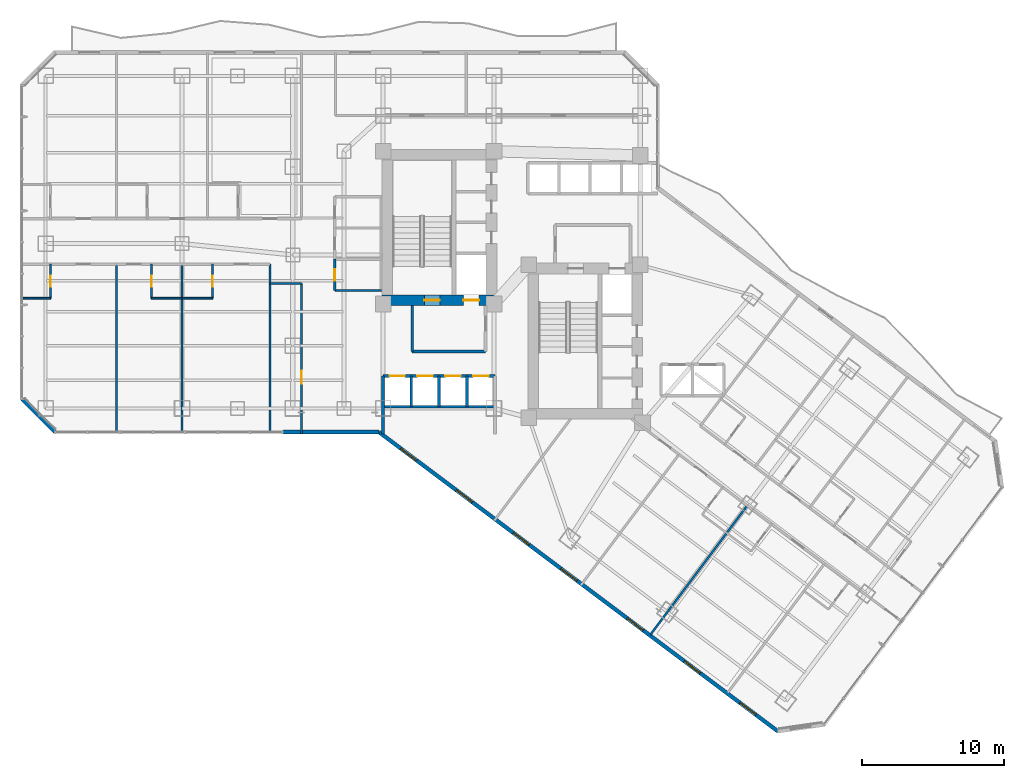
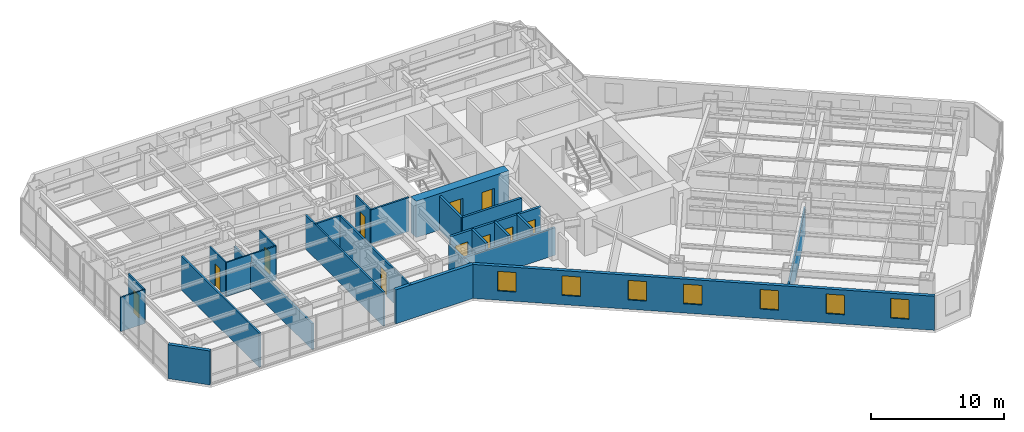
# One storey, part 23 of 37: 26 walls, 11 doors, 7 windows, 18 openings.
"""IFC4 building model written with IfcOpenShell, lengths in metres."""

from ifc_helpers import new_model, si_unit, direction, frame, frame_2d, origin, place, context, subcontext, project, spatial, rectangle, extrude, material, layer, layer_set, type_object, element, fill, save


model = new_model("IFC4")

# Units and contexts
model_context = context("Model", 3, precision=1e-05, world=origin(), true_north=direction((0.0, 1.0)))
body_context = subcontext(model_context, "Body", "Model", "MODEL_VIEW")
ifc_project = project(units=[si_unit("LENGTHUNIT", "METRE"), si_unit("AREAUNIT", "SQUARE_METRE"), si_unit("VOLUMEUNIT", "CUBIC_METRE"), si_unit("PLANEANGLEUNIT", "RADIAN"), si_unit("MASSUNIT", "GRAM", prefix="KILO")], contexts=[model_context])

# Site, building, storey
site_placement = place(None, origin())
site = spatial("IfcSite", under=ifc_project, at=site_placement, CompositionType="ELEMENT")
building_placement = place(site_placement, origin())
building = spatial("IfcBuilding", under=site, at=building_placement, Name="Hatsunagi Terrace Concourse", CompositionType="ELEMENT")
storey_placement = place(building_placement, frame((0.0, 0.0, 50.0)))
storey = spatial("IfcBuildingStorey", under=building, at=storey_placement, Name="L12", CompositionType="ELEMENT", Elevation=50.0)

# Wall, openings, doors
ifc_material_1 = material(Name="Concrete Fc60", Category="concrete")
ifc_layer_1 = layer(ifc_material_1, 0.75)
ifc_layer_set_1 = layer_set([ifc_layer_1], Name="CoreShearWall_Fc60_750")
wall_type_1 = type_object("IfcWallType", Name="CoreShearWall_Fc60_750", PredefinedType="SHEAR", material=ifc_layer_set_1)
wall_1_placement = place(storey_placement, frame((25.469970703125, 32.81494140625, 0.0), z_axis=(0.0, 0.0, 1.0), x_axis=(1.0, 0.0, 0.0)))
wall_1 = element("IfcWall", 1, at=wall_1_placement, inside=storey, type_object=wall_type_1, Name="Core A Shear Wall S L12", PredefinedType="SHEAR", context=body_context, shape_type="SweptSolid", body=[
    extrude(rectangle(XDim=8.080078125, YDim=0.75, at=frame_2d((4.0400390625, 0.0))), origin(), (0.0, 0.0, 1.0), 3.35009765625),
])
opening_1_placement = place(wall_1_placement, frame((2.97998046875, 0.0, 0.0)))
opening_1 = element("IfcOpeningElement", 2, at=opening_1_placement, cuts=wall_1, Name="Opening DR-110S", PredefinedType="OPENING", context=body_context, shape_type="SweptSolid", body=[
    extrude(rectangle(XDim=1.10009765625, YDim=2.199951171875, at=frame_2d((0.550048828125, 1.10009765625))), frame((0.0, 0.385009765625, 0.0), z_axis=(0.0, -1.0, 0.0), x_axis=(1.0, 0.0, 0.0)), (0.0, 0.0, 1.0), 0.77001953125),
])
opening_2_placement = place(wall_1_placement, frame((5.72998046875, 0.0, 0.0)))
opening_2 = element("IfcOpeningElement", 3, at=opening_2_placement, cuts=wall_1, Name="Opening LD-01", PredefinedType="OPENING", context=body_context, shape_type="SweptSolid", body=[
    extrude(rectangle(XDim=1.10009765625, YDim=2.14990234375, at=frame_2d((0.550048828125, 1.074951171875))), frame((0.0, 0.385009765625, 0.0), z_axis=(0.0, -1.0, 0.0), x_axis=(1.0, 0.0, 0.0)), (0.0, 0.0, 1.0), 0.77001953125),
])
ifc_material_2 = material(Name="Stainless steel", Category="steel")
door_type_1 = type_object("IfcDoorType", Name="LiftLandingDoor_LD01", OperationType="SLIDING_TO_LEFT", PredefinedType="USERDEFINED", material=ifc_material_2)
door_1_placement = place(opening_2_placement, origin())
door_1 = element("IfcDoor", 4, at=door_1_placement, inside=storey, type_object=door_type_1, Name="Lift landing door FF-01 L12", ObjectType="SLIDING_LANDING_DOOR", OperationType="SLIDING_TO_LEFT", OverallHeight=2.14990234375, OverallWidth=1.10009765625, PredefinedType="USERDEFINED", context=body_context, shape_type="SweptSolid", body=[
    extrude(rectangle(XDim=1.10009765625, YDim=2.14990234375, at=frame_2d((0.550048828125, 1.074951171875))), frame((0.0, 0.02490234375, 0.0), z_axis=(0.0, -1.0, 0.0), x_axis=(1.0, 0.0, 0.0)), (0.0, 0.0, 1.0), 0.050048828125),
])
fill(opening_2, door_1)
ifc_material_3 = material(Name="Painted steel", Category="steel")
door_type_2 = type_object("IfcDoorType", Name="StairFireDoor_EI60_1100", OperationType="NOTDEFINED", PredefinedType="DOOR", material=ifc_material_3)
door_2_placement = place(opening_1_placement, origin())
door_2 = element("IfcDoor", 5, at=door_2_placement, inside=storey, type_object=door_type_2, Name="Stair ST-A Exit Door L12", OperationType="SINGLE_SWING_LEFT", OverallHeight=2.199951171875, OverallWidth=1.10009765625, PredefinedType="DOOR", context=body_context, shape_type="SweptSolid", body=[
    extrude(rectangle(XDim=1.10009765625, YDim=2.199951171875, at=frame_2d((0.550048828125, 1.10009765625))), frame((0.0, 0.02490234375, 0.0), z_axis=(0.0, -1.0, 0.0), x_axis=(1.0, 0.0, 0.0)), (0.0, 0.0, 1.0), 0.050048828125),
])
fill(opening_1, door_2)

# Wall, opening, door
ifc_material_4 = material(Name="Acoustic mineral board", Category="gypsum")
ifc_layer_2 = layer(ifc_material_4, 0.1201171875)
ifc_layer_set_2 = layer_set([ifc_layer_2], Name="PartitionWall_EI30_120")
wall_type_2 = type_object("IfcWallType", Name="PartitionWall_EI30_120", PredefinedType="PARTITIONING", material=ifc_layer_set_2)
wall_2_placement = place(storey_placement, frame((2.14990234375, 32.949951171875, 0.0), z_axis=(0.0, 0.0, 1.0), x_axis=(0.0, 1.0, 0.0)))
wall_2 = element("IfcWall", 6, at=wall_2_placement, inside=storey, type_object=wall_type_2, Name="Interior Partition IW-L12-063", PredefinedType="PARTITIONING", context=body_context, shape_type="SweptSolid", body=[
    extrude(rectangle(XDim=2.400146484375, YDim=0.1201171875, at=frame_2d((1.2001953125, 0.0))), origin(), (0.0, 0.0, 1.0), 3.1298828125),
])
opening_3_placement = place(wall_2_placement, frame((0.800048828125, 0.0, 0.0)))
opening_3 = element("IfcOpeningElement", 7, at=opening_3_placement, cuts=wall_2, Name="Opening DR-080", PredefinedType="OPENING", context=body_context, shape_type="SweptSolid", body=[
    extrude(rectangle(XDim=0.800048828125, YDim=2.06005859375, at=frame_2d((0.39990234375, 1.030029296875))), frame((0.0, 0.070068359375, 0.0), z_axis=(0.0, -1.0, 0.0), x_axis=(1.0, 0.0, 0.0)), (0.0, 0.0, 1.0), 0.14013671875),
])
ifc_material_5 = material(Name="Hardwood timber", Category="wood")
door_type_3 = type_object("IfcDoorType", Name="BathroomDoor_800", OperationType="NOTDEFINED", PredefinedType="DOOR", material=ifc_material_5)
door_3_placement = place(opening_3_placement, origin())
door_3 = element("IfcDoor", 8, at=door_3_placement, inside=storey, type_object=door_type_3, Name="En-Suite Bathroom L12-S1 Door", OperationType="SINGLE_SWING_RIGHT", OverallHeight=2.06005859375, OverallWidth=0.800048828125, PredefinedType="DOOR", context=body_context, shape_type="SweptSolid", body=[
    extrude(rectangle(XDim=0.800048828125, YDim=2.06005859375, at=frame_2d((0.39990234375, 1.030029296875))), frame((0.0, 0.02490234375, 0.0), z_axis=(0.0, -1.0, 0.0), x_axis=(1.0, 0.0, 0.0)), (0.0, 0.0, 1.0), 0.050048828125),
])
fill(opening_3, door_3)

# Wall
wall_3_placement = place(storey_placement, frame((0.0400390625, 32.949951171875, 0.0), z_axis=(0.0, 0.0, 1.0), x_axis=(1.0, 0.0, 0.0)))
element("IfcWall", 9, at=wall_3_placement, inside=storey, type_object=wall_type_2, Name="Interior Partition IW-L12-064", PredefinedType="PARTITIONING", context=body_context, shape_type="SweptSolid", body=[
    extrude(rectangle(XDim=2.10986328125, YDim=0.1201171875, at=frame_2d((1.054931640625, 0.0))), origin(), (0.0, 0.0, 1.0), 3.1298828125),
])

# Wall, opening, door
wall_4_placement = place(storey_placement, frame((9.25, 32.949951171875, 0.0), z_axis=(0.0, 0.0, 1.0), x_axis=(0.0, 1.0, 0.0)))
wall_4 = element("IfcWall", 10, at=wall_4_placement, inside=storey, type_object=wall_type_2, Name="Interior Partition IW-L12-068", PredefinedType="PARTITIONING", context=body_context, shape_type="SweptSolid", body=[
    extrude(rectangle(XDim=2.400146484375, YDim=0.1201171875, at=frame_2d((1.2001953125, 0.0))), origin(), (0.0, 0.0, 1.0), 3.1298828125),
])
opening_4_placement = place(wall_4_placement, frame((0.800048828125, 0.0, 0.0)))
opening_4 = element("IfcOpeningElement", 11, at=opening_4_placement, cuts=wall_4, Name="Opening DR-080", PredefinedType="OPENING", context=body_context, shape_type="SweptSolid", body=[
    extrude(rectangle(XDim=0.800048828125, YDim=2.06005859375, at=frame_2d((0.39990234375, 1.030029296875))), frame((0.0, 0.070068359375, 0.0), z_axis=(0.0, -1.0, 0.0), x_axis=(1.0, 0.0, 0.0)), (0.0, 0.0, 1.0), 0.14013671875),
])
door_4_placement = place(opening_4_placement, origin())
door_4 = element("IfcDoor", 12, at=door_4_placement, inside=storey, type_object=door_type_3, Name="En-Suite Bathroom L12-S2 Door", OperationType="SINGLE_SWING_LEFT", OverallHeight=2.06005859375, OverallWidth=0.800048828125, PredefinedType="DOOR", context=body_context, shape_type="SweptSolid", body=[
    extrude(rectangle(XDim=0.800048828125, YDim=2.06005859375, at=frame_2d((0.39990234375, 1.030029296875))), frame((0.0, 0.02490234375, 0.0), z_axis=(0.0, -1.0, 0.0), x_axis=(1.0, 0.0, 0.0)), (0.0, 0.0, 1.0), 0.050048828125),
])
fill(opening_4, door_4)

# Wall
wall_5_placement = place(storey_placement, frame((9.25, 32.949951171875, 0.0), z_axis=(0.0, 0.0, 1.0), x_axis=(1.0, 0.0, 0.0)))
element("IfcWall", 13, at=wall_5_placement, inside=storey, type_object=wall_type_2, Name="Interior Partition IW-L12-069", PredefinedType="PARTITIONING", context=body_context, shape_type="SweptSolid", body=[
    extrude(rectangle(XDim=2.14990234375, YDim=0.1201171875, at=frame_2d((1.074951171875, 0.0))), origin(), (0.0, 0.0, 1.0), 3.1298828125),
])

# Wall, opening, door
wall_6_placement = place(storey_placement, frame((13.550048828125, 32.949951171875, 0.0), z_axis=(0.0, 0.0, 1.0), x_axis=(0.0, 1.0, 0.0)))
wall_6 = element("IfcWall", 14, at=wall_6_placement, inside=storey, type_object=wall_type_2, Name="Interior Partition IW-L12-073", PredefinedType="PARTITIONING", context=body_context, shape_type="SweptSolid", body=[
    extrude(rectangle(XDim=2.400146484375, YDim=0.1201171875, at=frame_2d((1.2001953125, 0.0))), origin(), (0.0, 0.0, 1.0), 3.1298828125),
])
opening_5_placement = place(wall_6_placement, frame((0.800048828125, 0.0, 0.0)))
opening_5 = element("IfcOpeningElement", 15, at=opening_5_placement, cuts=wall_6, Name="Opening DR-080", PredefinedType="OPENING", context=body_context, shape_type="SweptSolid", body=[
    extrude(rectangle(XDim=0.800048828125, YDim=2.06005859375, at=frame_2d((0.39990234375, 1.030029296875))), frame((0.0, 0.070068359375, 0.0), z_axis=(0.0, -1.0, 0.0), x_axis=(1.0, 0.0, 0.0)), (0.0, 0.0, 1.0), 0.14013671875),
])
door_5_placement = place(opening_5_placement, origin())
door_5 = element("IfcDoor", 16, at=door_5_placement, inside=storey, type_object=door_type_3, Name="En-Suite Bathroom L12-S3 Door", OperationType="SINGLE_SWING_RIGHT", OverallHeight=2.06005859375, OverallWidth=0.800048828125, PredefinedType="DOOR", context=body_context, shape_type="SweptSolid", body=[
    extrude(rectangle(XDim=0.800048828125, YDim=2.06005859375, at=frame_2d((0.39990234375, 1.030029296875))), frame((0.0, 0.02490234375, 0.0), z_axis=(0.0, -1.0, 0.0), x_axis=(1.0, 0.0, 0.0)), (0.0, 0.0, 1.0), 0.050048828125),
])
fill(opening_5, door_5)

# Walls
wall_7_placement = place(storey_placement, frame((11.39990234375, 32.949951171875, 0.0), z_axis=(0.0, 0.0, 1.0), x_axis=(1.0, 0.0, 0.0)))
element("IfcWall", 17, at=wall_7_placement, inside=storey, type_object=wall_type_2, Name="Interior Partition IW-L12-074", PredefinedType="PARTITIONING", context=body_context, shape_type="SweptSolid", body=[
    extrude(rectangle(XDim=2.150146484375, YDim=0.1201171875, at=frame_2d((1.0751953125, 0.0))), origin(), (0.0, 0.0, 1.0), 3.1298828125),
])
ifc_material_6 = material(Name="Acoustic mineral board", Category="gypsum")
ifc_layer_3 = layer(ifc_material_6, 0.14990234375)
ifc_layer_set_3 = layer_set([ifc_layer_3], Name="PartitionWall_EI60_150")
wall_type_3 = type_object("IfcWallType", Name="PartitionWall_EI60_150", PredefinedType="PARTITIONING", material=ifc_layer_set_3)
wall_8_placement = place(storey_placement, frame((22.14990234375, 33.5, 0.0), z_axis=(0.0, 0.0, 1.0), x_axis=(1.0, 0.0, 0.0)))
element("IfcWall", 18, at=wall_8_placement, inside=storey, type_object=wall_type_3, Name="Interior Partition IW-L12-031", PredefinedType="PARTITIONING", context=body_context, shape_type="SweptSolid", body=[
    extrude(rectangle(XDim=3.300048828125, YDim=0.14990234375, at=frame_2d((1.64990234375, 0.0))), origin(), (0.0, 0.0, 1.0), 3.1298828125),
])

# Wall, opening, door
wall_9_placement = place(storey_placement, frame((22.14990234375, 33.5, 0.0), z_axis=(0.0, 0.0, 1.0), x_axis=(0.0, 1.0, 0.0)))
wall_9 = element("IfcWall", 19, at=wall_9_placement, inside=storey, type_object=wall_type_3, Name="Interior Partition IW-L12-036", PredefinedType="PARTITIONING", context=body_context, shape_type="SweptSolid", body=[
    extrude(rectangle(XDim=2.199951171875, YDim=0.14990234375, at=frame_2d((1.10009765625, 0.0))), origin(), (0.0, 0.0, 1.0), 3.1298828125),
])
opening_6_placement = place(wall_9_placement, frame((0.699951171875, 0.0, 0.0)))
opening_6 = element("IfcOpeningElement", 20, at=opening_6_placement, cuts=wall_9, Name="Opening DR-080", PredefinedType="OPENING", context=body_context, shape_type="SweptSolid", body=[
    extrude(rectangle(XDim=0.800048828125, YDim=2.06005859375, at=frame_2d((0.39990234375, 1.030029296875))), frame((0.0, 0.0849609375, 0.0), z_axis=(0.0, -1.0, 0.0), x_axis=(1.0, 0.0, 0.0)), (0.0, 0.0, 1.0), 0.169921875),
])
door_6_placement = place(opening_6_placement, origin())
door_6 = element("IfcDoor", 21, at=door_6_placement, inside=storey, type_object=door_type_3, Name="Accessible WC Door L12", OperationType="SINGLE_SWING_RIGHT", OverallHeight=2.06005859375, OverallWidth=0.800048828125, PredefinedType="DOOR", context=body_context, shape_type="SweptSolid", body=[
    extrude(rectangle(XDim=0.800048828125, YDim=2.06005859375, at=frame_2d((0.39990234375, 1.030029296875))), frame((0.0, 0.02490234375, 0.0), z_axis=(0.0, -1.0, 0.0), x_axis=(1.0, 0.0, 0.0)), (0.0, 0.0, 1.0), 0.050048828125),
])
fill(opening_6, door_6)

# Walls
wall_10_placement = place(storey_placement, frame((6.800048828125, 23.60009765625, 0.0), z_axis=(0.0, 0.0, 1.0), x_axis=(0.0, 1.0, 0.0)))
element("IfcWall", 22, at=wall_10_placement, inside=storey, type_object=wall_type_3, Name="Interior Partition IW-L12-065", PredefinedType="PARTITIONING", context=body_context, shape_type="SweptSolid", body=[
    extrude(rectangle(XDim=11.75, YDim=0.14990234375, at=frame_2d((5.875, 0.0))), origin(), (0.0, 0.0, 1.0), 3.1298828125),
])
wall_11_placement = place(storey_placement, frame((11.39990234375, 23.60009765625, 0.0), z_axis=(0.0, 0.0, 1.0), x_axis=(0.0, 1.0, 0.0)))
element("IfcWall", 23, at=wall_11_placement, inside=storey, type_object=wall_type_3, Name="Interior Partition IW-L12-070", PredefinedType="PARTITIONING", context=body_context, shape_type="SweptSolid", body=[
    extrude(rectangle(XDim=11.75, YDim=0.14990234375, at=frame_2d((5.875, 0.0))), origin(), (0.0, 0.0, 1.0), 2.425048828125),
])
wall_12_placement = place(storey_placement, frame((17.60009765625, 23.60009765625, 0.0), z_axis=(0.0, 0.0, 1.0), x_axis=(0.0, 1.0, 0.0)))
element("IfcWall", 24, at=wall_12_placement, inside=storey, type_object=wall_type_3, Name="Interior Partition IW-L12-075", PredefinedType="PARTITIONING", context=body_context, shape_type="SweptSolid", body=[
    extrude(rectangle(XDim=11.75, YDim=0.14990234375, at=frame_2d((5.875, 0.0))), origin(), (0.0, 0.0, 1.0), 3.1298828125),
])
wall_13_placement = place(storey_placement, frame((17.60009765625, 34.0, 0.0), z_axis=(0.0, 0.0, 1.0), x_axis=(1.0, 0.0, 0.0)))
element("IfcWall", 25, at=wall_13_placement, inside=storey, type_object=wall_type_3, Name="Interior Partition IW-L12-076", PredefinedType="PARTITIONING", context=body_context, shape_type="SweptSolid", body=[
    extrude(rectangle(XDim=2.199951171875, YDim=0.14990234375, at=frame_2d((1.10009765625, 0.0))), origin(), (0.0, 0.0, 1.0), 3.1298828125),
])

# Wall, opening, door
wall_14_placement = place(storey_placement, frame((19.800048828125, 23.43994140625, 0.0), z_axis=(0.0, 0.0, 1.0), x_axis=(0.0, 1.0, 0.0)))
wall_14 = element("IfcWall", 26, at=wall_14_placement, inside=storey, type_object=wall_type_3, Name="Interior Partition IW-L12-077", PredefinedType="PARTITIONING", context=body_context, shape_type="SweptSolid", body=[
    extrude(rectangle(XDim=10.56005859375, YDim=0.14990234375, at=frame_2d((5.280029296875, 0.0))), origin(), (0.0, 0.0, 1.0), 3.1298828125),
])
opening_7_placement = place(wall_14_placement, frame((3.4951171875, 0.0, 0.0)))
opening_7 = element("IfcOpeningElement", 27, at=opening_7_placement, cuts=wall_14, Name="Opening DR-090", PredefinedType="OPENING", context=body_context, shape_type="SweptSolid", body=[
    extrude(rectangle(XDim=0.89990234375, YDim=2.14990234375, at=frame_2d((0.449951171875, 1.074951171875))), frame((0.0, 0.0849609375, 0.0), z_axis=(0.0, -1.0, 0.0), x_axis=(1.0, 0.0, 0.0)), (0.0, 0.0, 1.0), 0.169921875),
])
ifc_material_7 = material(Name="Hardwood timber", Category="wood")
door_type_4 = type_object("IfcDoorType", Name="CrownPavilionDoor_EI30_900", OperationType="NOTDEFINED", PredefinedType="DOOR", material=ifc_material_7)
door_7_placement = place(opening_7_placement, origin())
door_7 = element("IfcDoor", 28, at=door_7_placement, inside=storey, type_object=door_type_4, Name="Catering Pantry L12-HPAN Door", OperationType="SINGLE_SWING_RIGHT", OverallHeight=2.14990234375, OverallWidth=0.89990234375, PredefinedType="DOOR", context=body_context, shape_type="SweptSolid", body=[
    extrude(rectangle(XDim=0.89990234375, YDim=2.14990234375, at=frame_2d((0.449951171875, 1.074951171875))), frame((0.0, 0.02490234375, 0.0), z_axis=(0.0, -1.0, 0.0), x_axis=(1.0, 0.0, 0.0)), (0.0, 0.0, 1.0), 0.050048828125),
])
fill(opening_7, door_7)

# Walls
wall_15_placement = place(storey_placement, frame((44.360107421875, 9.280029296875, 0.0), z_axis=(0.0, 0.0, 1.0), x_axis=(0.599986233332, 0.800010324816, 0.0)))
element("IfcWall", 29, at=wall_15_placement, inside=storey, type_object=wall_type_3, Name="Interior Partition IW-L12-102", PredefinedType="PARTITIONING", context=body_context, shape_type="SweptSolid", body=[
    extrude(rectangle(XDim=11.349853515625, YDim=0.14990234375, at=frame_2d((5.6748046875, 0.0))), origin(), (0.0, 0.0, 1.0), 2.425048828125),
])
ifc_material_8 = material(Name="Acoustic mineral board", Category="gypsum")
ifc_layer_4 = layer(ifc_material_8, 0.199951171875)
ifc_layer_set_4 = layer_set([ifc_layer_4], Name="ShaftWall_EI120_200")
wall_type_4 = type_object("IfcWallType", Name="ShaftWall_EI120_200", PredefinedType="STANDARD", material=ifc_layer_set_4)
wall_16_placement = place(storey_placement, frame((27.60009765625, 29.199951171875, 0.0), z_axis=(0.0, 0.0, 1.0), x_axis=(1.0, 0.0, 0.0)))
element("IfcWall", 30, at=wall_16_placement, inside=storey, type_object=wall_type_4, Name="Interior Partition IW-L12-007", PredefinedType="STANDARD", context=body_context, shape_type="SweptSolid", body=[
    extrude(rectangle(XDim=5.14990234375, YDim=0.199951171875, at=frame_2d((2.574951171875, 0.0))), origin(), (0.0, 0.0, 1.0), 3.1298828125),
])
wall_17_placement = place(storey_placement, frame((27.60009765625, 29.199951171875, 0.0), z_axis=(0.0, 0.0, 1.0), x_axis=(0.0, 1.0, 0.0)))
element("IfcWall", 31, at=wall_17_placement, inside=storey, type_object=wall_type_4, Name="Interior Partition IW-L12-008", PredefinedType="STANDARD", context=body_context, shape_type="SweptSolid", body=[
    extrude(rectangle(XDim=3.239990234375, YDim=0.199951171875, at=frame_2d((1.6201171875, 0.0))), origin(), (0.0, 0.0, 1.0), 3.1298828125),
])
wall_18_placement = place(storey_placement, frame((25.550048828125, 23.39990234375, 0.0), z_axis=(0.0, 0.0, 1.0), x_axis=(0.0, 1.0, 0.0)))
element("IfcWall", 32, at=wall_18_placement, inside=storey, type_object=wall_type_4, Name="Interior Partition IW-L12-013", PredefinedType="STANDARD", context=body_context, shape_type="SweptSolid", body=[
    extrude(rectangle(XDim=4.080078125, YDim=0.199951171875, at=frame_2d((2.0400390625, 0.0))), origin(), (0.0, 0.0, 1.0), 2.425048828125),
])
wall_19_placement = place(storey_placement, frame((25.550048828125, 25.320068359375, 0.0), z_axis=(0.0, 0.0, 1.0), x_axis=(1.0, 0.0, 0.0)))
element("IfcWall", 33, at=wall_19_placement, inside=storey, type_object=wall_type_4, Name="Interior Partition IW-L12-015", PredefinedType="STANDARD", context=body_context, shape_type="SweptSolid", body=[
    extrude(rectangle(XDim=7.8798828125, YDim=0.199951171875, at=frame_2d((3.93994140625, 0.0))), origin(), (0.0, 0.0, 1.0), 2.52490234375),
])
for number, where, z_axis, x_axis, name in (
    (34, (27.530029296875, 25.320068359375, 0.0), (0.0, 0.0, 1.0), (0.0, 1.0, 0.0), "Interior Partition IW-L12-016"),
    (35, (29.489990234375, 25.320068359375, 0.0), (0.0, 0.0, 1.0), (0.0, 1.0, 0.0), "Interior Partition IW-L12-017"),
    (36, (31.449951171875, 25.320068359375, 0.0), (0.0, 0.0, 1.0), (0.0, 1.0, 0.0), "Interior Partition IW-L12-018"),
):
    element("IfcWall", number, at=place(storey_placement, frame(where, z_axis=z_axis, x_axis=x_axis)), inside=storey, type_object=wall_type_4, Name=name, PredefinedType="STANDARD", context=body_context, shape_type="SweptSolid", body=[
        extrude(rectangle(XDim=2.159912109375, YDim=0.199951171875, at=frame_2d((1.080078125, 0.0))), origin(), (0.0, 0.0, 1.0), 3.1298828125),
    ])

# Wall, openings, doors
wall_20_placement = place(storey_placement, frame((25.550048828125, 27.47998046875, 0.0), z_axis=(0.0, 0.0, 1.0), x_axis=(1.0, 0.0, 0.0)))
wall_20 = element("IfcWall", 37, at=wall_20_placement, inside=storey, type_object=wall_type_4, Name="Interior Partition IW-L12-019", PredefinedType="STANDARD", context=body_context, shape_type="SweptSolid", body=[
    extrude(rectangle(XDim=7.8798828125, YDim=0.199951171875, at=frame_2d((3.93994140625, 0.0))), origin(), (0.0, 0.0, 1.0), 3.1298828125),
])
opening_8_placement = place(wall_20_placement, frame((0.4599609375, 0.0, 0.0)))
opening_8 = element("IfcOpeningElement", 38, at=opening_8_placement, cuts=wall_20, Name="Opening LD-03", PredefinedType="OPENING", context=body_context, shape_type="SweptSolid", body=[
    extrude(rectangle(XDim=1.080078125, YDim=2.14990234375, at=frame_2d((0.5400390625, 1.074951171875))), frame((0.0, 0.10986328125, 0.0), z_axis=(0.0, -1.0, 0.0), x_axis=(1.0, 0.0, 0.0)), (0.0, 0.0, 1.0), 0.219970703125),
])
opening_9_placement = place(wall_20_placement, frame((2.419921875, 0.0, 0.0)))
opening_9 = element("IfcOpeningElement", 39, at=opening_9_placement, cuts=wall_20, Name="Opening LD-03", PredefinedType="OPENING", context=body_context, shape_type="SweptSolid", body=[
    extrude(rectangle(XDim=1.080078125, YDim=2.14990234375, at=frame_2d((0.5400390625, 1.074951171875))), frame((0.0, 0.10986328125, 0.0), z_axis=(0.0, -1.0, 0.0), x_axis=(1.0, 0.0, 0.0)), (0.0, 0.0, 1.0), 0.219970703125),
])
opening_10_placement = place(wall_20_placement, frame((4.3798828125, 0.0, 0.0)))
opening_10 = element("IfcOpeningElement", 40, at=opening_10_placement, cuts=wall_20, Name="Opening LD-03", PredefinedType="OPENING", context=body_context, shape_type="SweptSolid", body=[
    extrude(rectangle(XDim=1.080078125, YDim=2.14990234375, at=frame_2d((0.5400390625, 1.074951171875))), frame((0.0, 0.10986328125, 0.0), z_axis=(0.0, -1.0, 0.0), x_axis=(1.0, 0.0, 0.0)), (0.0, 0.0, 1.0), 0.219970703125),
])
opening_11_placement = place(wall_20_placement, frame((6.340087890625, 0.0, 0.0)))
opening_11 = element("IfcOpeningElement", 41, at=opening_11_placement, cuts=wall_20, Name="Opening LD-03", PredefinedType="OPENING", context=body_context, shape_type="SweptSolid", body=[
    extrude(rectangle(XDim=1.080078125, YDim=2.14990234375, at=frame_2d((0.5400390625, 1.074951171875))), frame((0.0, 0.10986328125, 0.0), z_axis=(0.0, -1.0, 0.0), x_axis=(1.0, 0.0, 0.0)), (0.0, 0.0, 1.0), 0.219970703125),
])
ifc_material_9 = material(Name="Stainless steel", Category="steel")
door_type_5 = type_object("IfcDoorType", Name="LiftLandingDoor_LD03", OperationType="SLIDING_TO_LEFT", PredefinedType="USERDEFINED", material=ifc_material_9)
door_8_placement = place(opening_8_placement, origin())
door_8 = element("IfcDoor", 42, at=door_8_placement, inside=storey, type_object=door_type_5, Name="Lift landing door PL-01 L12", ObjectType="SLIDING_LANDING_DOOR", OperationType="SLIDING_TO_LEFT", OverallHeight=2.14990234375, OverallWidth=1.080078125, PredefinedType="USERDEFINED", context=body_context, shape_type="SweptSolid", body=[
    extrude(rectangle(XDim=1.080078125, YDim=2.14990234375, at=frame_2d((0.5400390625, 1.074951171875))), frame((0.0, 0.02490234375, 0.0), z_axis=(0.0, -1.0, 0.0), x_axis=(1.0, 0.0, 0.0)), (0.0, 0.0, 1.0), 0.050048828125),
])
fill(opening_8, door_8)
door_9_placement = place(opening_9_placement, origin())
door_9 = element("IfcDoor", 43, at=door_9_placement, inside=storey, type_object=door_type_5, Name="Lift landing door PL-02 L12", ObjectType="SLIDING_LANDING_DOOR", OperationType="SLIDING_TO_LEFT", OverallHeight=2.14990234375, OverallWidth=1.080078125, PredefinedType="USERDEFINED", context=body_context, shape_type="SweptSolid", body=[
    extrude(rectangle(XDim=1.080078125, YDim=2.14990234375, at=frame_2d((0.5400390625, 1.074951171875))), frame((0.0, 0.02490234375, 0.0), z_axis=(0.0, -1.0, 0.0), x_axis=(1.0, 0.0, 0.0)), (0.0, 0.0, 1.0), 0.050048828125),
])
fill(opening_9, door_9)
door_10_placement = place(opening_10_placement, origin())
door_10 = element("IfcDoor", 44, at=door_10_placement, inside=storey, type_object=door_type_5, Name="Lift landing door PL-03 L12", ObjectType="SLIDING_LANDING_DOOR", OperationType="SLIDING_TO_LEFT", OverallHeight=2.14990234375, OverallWidth=1.080078125, PredefinedType="USERDEFINED", context=body_context, shape_type="SweptSolid", body=[
    extrude(rectangle(XDim=1.080078125, YDim=2.14990234375, at=frame_2d((0.5400390625, 1.074951171875))), frame((0.0, 0.02490234375, 0.0), z_axis=(0.0, -1.0, 0.0), x_axis=(1.0, 0.0, 0.0)), (0.0, 0.0, 1.0), 0.050048828125),
])
fill(opening_10, door_10)
door_11_placement = place(opening_11_placement, origin())
door_11 = element("IfcDoor", 45, at=door_11_placement, inside=storey, type_object=door_type_5, Name="Lift landing door PL-04 L12", ObjectType="SLIDING_LANDING_DOOR", OperationType="SLIDING_TO_LEFT", OverallHeight=2.14990234375, OverallWidth=1.080078125, PredefinedType="USERDEFINED", context=body_context, shape_type="SweptSolid", body=[
    extrude(rectangle(XDim=1.080078125, YDim=2.14990234375, at=frame_2d((0.5400390625, 1.074951171875))), frame((0.0, 0.02490234375, 0.0), z_axis=(0.0, -1.0, 0.0), x_axis=(1.0, 0.0, 0.0)), (0.0, 0.0, 1.0), 0.050048828125),
])
fill(opening_11, door_11)

# Wall, openings, windows
ifc_material_10 = material(Name="Autoclaved Lightweight Concrete and Terracotta Cladding", Category="masonry")
ifc_layer_5 = layer(ifc_material_10, 0.280029296875)
ifc_layer_set_5 = layer_set([ifc_layer_5], Name="TerracottaSpandrelWall_280")
wall_type_5 = type_object("IfcWallType", Name="TerracottaSpandrelWall_280", PredefinedType="STANDARD", material=ifc_layer_set_5)
wall_21_placement = place(storey_placement, frame((53.318115234375, 2.487060546875, 0.0), z_axis=(0.0, 0.0, 1.0), x_axis=(-0.800004174678, 0.599994433723, 0.0)))
wall_21 = element("IfcWall", 46, at=wall_21_placement, inside=storey, type_object=wall_type_5, Name="Exterior Spandrel Wall EW-L12-05", PredefinedType="STANDARD", context=body_context, shape_type="SweptSolid", body=[
    extrude(rectangle(XDim=35.088623046875, YDim=0.280029296875, at=frame_2d((17.54443359375, 0.0))), origin(), (0.0, 0.0, 1.0), 3.1298828125),
])
opening_12_placement = place(wall_21_placement, frame((1.930908203125, 0.0, 0.85009765625)))
opening_12 = element("IfcOpeningElement", 47, at=opening_12_placement, cuts=wall_21, Name="Opening WIN-02", PredefinedType="OPENING", context=body_context, shape_type="SweptSolid", body=[
    extrude(rectangle(XDim=1.39990234375, YDim=1.800048828125, at=frame_2d((0.699951171875, 0.89990234375))), frame((0.0, 0.14990234375, 0.0), z_axis=(0.0, -1.0, 0.0), x_axis=(1.0, 0.0, 0.0)), (0.0, 0.0, 1.0), 0.300048828125),
])
opening_13_placement = place(wall_21_placement, frame((6.819091796875, 0.0, 0.85009765625)))
opening_13 = element("IfcOpeningElement", 48, at=opening_13_placement, cuts=wall_21, Name="Opening WIN-02", PredefinedType="OPENING", context=body_context, shape_type="SweptSolid", body=[
    extrude(rectangle(XDim=1.39990234375, YDim=1.800048828125, at=frame_2d((0.699951171875, 0.89990234375))), frame((0.0, 0.14990234375, 0.0), z_axis=(0.0, -1.0, 0.0), x_axis=(1.0, 0.0, 0.0)), (0.0, 0.0, 1.0), 0.300048828125),
])
opening_14_placement = place(wall_21_placement, frame((11.83203125, 0.0, 0.85009765625)))
opening_14 = element("IfcOpeningElement", 49, at=opening_14_placement, cuts=wall_21, Name="Opening WIN-02", PredefinedType="OPENING", context=body_context, shape_type="SweptSolid", body=[
    extrude(rectangle(XDim=1.39990234375, YDim=1.800048828125, at=frame_2d((0.699951171875, 0.89990234375))), frame((0.0, 0.14990234375, 0.0), z_axis=(0.0, -1.0, 0.0), x_axis=(1.0, 0.0, 0.0)), (0.0, 0.0, 1.0), 0.300048828125),
])
opening_15_placement = place(wall_21_placement, frame((17.64697265625, 0.0, 0.85009765625)))
opening_15 = element("IfcOpeningElement", 50, at=opening_15_placement, cuts=wall_21, Name="Opening WIN-02", PredefinedType="OPENING", context=body_context, shape_type="SweptSolid", body=[
    extrude(rectangle(XDim=1.39990234375, YDim=1.800048828125, at=frame_2d((0.699951171875, 0.89990234375))), frame((0.0, 0.14990234375, 0.0), z_axis=(0.0, -1.0, 0.0), x_axis=(1.0, 0.0, 0.0)), (0.0, 0.0, 1.0), 0.300048828125),
])
opening_16_placement = place(wall_21_placement, frame((21.85693359375, 0.0, 0.85009765625)))
opening_16 = element("IfcOpeningElement", 51, at=opening_16_placement, cuts=wall_21, Name="Opening WIN-02", PredefinedType="OPENING", context=body_context, shape_type="SweptSolid", body=[
    extrude(rectangle(XDim=1.39990234375, YDim=1.800048828125, at=frame_2d((0.699951171875, 0.89990234375))), frame((0.0, 0.14990234375, 0.0), z_axis=(0.0, -1.0, 0.0), x_axis=(1.0, 0.0, 0.0)), (0.0, 0.0, 1.0), 0.300048828125),
])
opening_17_placement = place(wall_21_placement, frame((26.8701171875, 0.0, 0.85009765625)))
opening_17 = element("IfcOpeningElement", 52, at=opening_17_placement, cuts=wall_21, Name="Opening WIN-02", PredefinedType="OPENING", context=body_context, shape_type="SweptSolid", body=[
    extrude(rectangle(XDim=1.39990234375, YDim=1.800048828125, at=frame_2d((0.699951171875, 0.89990234375))), frame((0.0, 0.14990234375, 0.0), z_axis=(0.0, -1.0, 0.0), x_axis=(1.0, 0.0, 0.0)), (0.0, 0.0, 1.0), 0.300048828125),
])
opening_18_placement = place(wall_21_placement, frame((31.757080078125, 0.0, 0.85009765625)))
opening_18 = element("IfcOpeningElement", 53, at=opening_18_placement, cuts=wall_21, Name="Opening WIN-02", PredefinedType="OPENING", context=body_context, shape_type="SweptSolid", body=[
    extrude(rectangle(XDim=1.39990234375, YDim=1.800048828125, at=frame_2d((0.699951171875, 0.89990234375))), frame((0.0, 0.14990234375, 0.0), z_axis=(0.0, -1.0, 0.0), x_axis=(1.0, 0.0, 0.0)), (0.0, 0.0, 1.0), 0.300048828125),
])
ifc_material_11 = material(Name="Thermally Broken Aluminium and Low-E Triple Glazing", Category="aluminium")
window_type = type_object("IfcWindowType", Name="HotelOperableVentWindow_1400x1800", PartitioningType="DOUBLE_PANEL_VERTICAL", PredefinedType="WINDOW", material=ifc_material_11)
window_1_placement = place(opening_12_placement, origin())
window_1 = element("IfcWindow", 54, at=window_1_placement, inside=storey, type_object=window_type, Name="Hotel Perimeter Window L12-05-1", OverallHeight=1.800048828125, OverallWidth=1.39990234375, PartitioningType="SINGLE_PANEL", PredefinedType="WINDOW", context=body_context, shape_type="SweptSolid", body=[
    extrude(rectangle(XDim=1.39990234375, YDim=1.800048828125, at=frame_2d((0.699951171875, 0.89990234375))), frame((0.0, 0.030029296875, 0.0), z_axis=(0.0, -1.0, 0.0), x_axis=(1.0, 0.0, 0.0)), (0.0, 0.0, 1.0), 0.06005859375),
])
fill(opening_12, window_1)
window_2_placement = place(opening_13_placement, origin())
window_2 = element("IfcWindow", 55, at=window_2_placement, inside=storey, type_object=window_type, Name="Hotel Perimeter Window L12-05-2", OverallHeight=1.800048828125, OverallWidth=1.39990234375, PartitioningType="SINGLE_PANEL", PredefinedType="WINDOW", context=body_context, shape_type="SweptSolid", body=[
    extrude(rectangle(XDim=1.39990234375, YDim=1.800048828125, at=frame_2d((0.699951171875, 0.89990234375))), frame((0.0, 0.030029296875, 0.0), z_axis=(0.0, -1.0, 0.0), x_axis=(1.0, 0.0, 0.0)), (0.0, 0.0, 1.0), 0.06005859375),
])
fill(opening_13, window_2)
window_3_placement = place(opening_14_placement, origin())
window_3 = element("IfcWindow", 56, at=window_3_placement, inside=storey, type_object=window_type, Name="Hotel Perimeter Window L12-05-3", OverallHeight=1.800048828125, OverallWidth=1.39990234375, PartitioningType="SINGLE_PANEL", PredefinedType="WINDOW", context=body_context, shape_type="SweptSolid", body=[
    extrude(rectangle(XDim=1.39990234375, YDim=1.800048828125, at=frame_2d((0.699951171875, 0.89990234375))), frame((0.0, 0.030029296875, 0.0), z_axis=(0.0, -1.0, 0.0), x_axis=(1.0, 0.0, 0.0)), (0.0, 0.0, 1.0), 0.06005859375),
])
fill(opening_14, window_3)
window_4_placement = place(opening_15_placement, origin())
window_4 = element("IfcWindow", 57, at=window_4_placement, inside=storey, type_object=window_type, Name="Hotel Perimeter Window L12-05-4", OverallHeight=1.800048828125, OverallWidth=1.39990234375, PartitioningType="SINGLE_PANEL", PredefinedType="WINDOW", context=body_context, shape_type="SweptSolid", body=[
    extrude(rectangle(XDim=1.39990234375, YDim=1.800048828125, at=frame_2d((0.699951171875, 0.89990234375))), frame((0.0, 0.030029296875, 0.0), z_axis=(0.0, -1.0, 0.0), x_axis=(1.0, 0.0, 0.0)), (0.0, 0.0, 1.0), 0.06005859375),
])
fill(opening_15, window_4)
window_5_placement = place(opening_16_placement, origin())
window_5 = element("IfcWindow", 58, at=window_5_placement, inside=storey, type_object=window_type, Name="Hotel Perimeter Window L12-05-5", OverallHeight=1.800048828125, OverallWidth=1.39990234375, PartitioningType="SINGLE_PANEL", PredefinedType="WINDOW", context=body_context, shape_type="SweptSolid", body=[
    extrude(rectangle(XDim=1.39990234375, YDim=1.800048828125, at=frame_2d((0.699951171875, 0.89990234375))), frame((0.0, 0.030029296875, 0.0), z_axis=(0.0, -1.0, 0.0), x_axis=(1.0, 0.0, 0.0)), (0.0, 0.0, 1.0), 0.06005859375),
])
fill(opening_16, window_5)
window_6_placement = place(opening_17_placement, origin())
window_6 = element("IfcWindow", 59, at=window_6_placement, inside=storey, type_object=window_type, Name="Hotel Perimeter Window L12-05-6", OverallHeight=1.800048828125, OverallWidth=1.39990234375, PartitioningType="SINGLE_PANEL", PredefinedType="WINDOW", context=body_context, shape_type="SweptSolid", body=[
    extrude(rectangle(XDim=1.39990234375, YDim=1.800048828125, at=frame_2d((0.699951171875, 0.89990234375))), frame((0.0, 0.030029296875, 0.0), z_axis=(0.0, -1.0, 0.0), x_axis=(1.0, 0.0, 0.0)), (0.0, 0.0, 1.0), 0.06005859375),
])
fill(opening_17, window_6)
window_7_placement = place(opening_18_placement, origin())
window_7 = element("IfcWindow", 60, at=window_7_placement, inside=storey, type_object=window_type, Name="Hotel Perimeter Window L12-05-7", OverallHeight=1.800048828125, OverallWidth=1.39990234375, PartitioningType="SINGLE_PANEL", PredefinedType="WINDOW", context=body_context, shape_type="SweptSolid", body=[
    extrude(rectangle(XDim=1.39990234375, YDim=1.800048828125, at=frame_2d((0.699951171875, 0.89990234375))), frame((0.0, 0.030029296875, 0.0), z_axis=(0.0, -1.0, 0.0), x_axis=(1.0, 0.0, 0.0)), (0.0, 0.0, 1.0), 0.06005859375),
])
fill(opening_18, window_7)

# Walls
wall_22_placement = place(storey_placement, frame((25.2470703125, 23.5400390625, 0.0), z_axis=(0.0, 0.0, 1.0), x_axis=(-1.0, 0.0, 0.0)))
element("IfcWall", 61, at=wall_22_placement, inside=storey, type_object=wall_type_5, Name="Exterior Spandrel Wall EW-L12-06", PredefinedType="STANDARD", context=body_context, shape_type="SweptSolid", body=[
    extrude(rectangle(XDim=6.7470703125, YDim=0.280029296875, at=frame_2d((3.37353515625, 0.0))), origin(), (0.0, 0.0, 1.0), 3.1298828125),
])
wall_23_placement = place(storey_placement, frame((2.4580078125, 23.5400390625, 0.0), z_axis=(0.0, 0.0, 1.0), x_axis=(-0.707144017911, 0.707069542501, 0.0)))
element("IfcWall", 62, at=wall_23_placement, inside=storey, type_object=wall_type_5, Name="Exterior Spandrel Wall EW-L12-08", PredefinedType="STANDARD", context=body_context, shape_type="SweptSolid", body=[
    extrude(rectangle(XDim=3.278076171875, YDim=0.280029296875, at=frame_2d((1.63916015625, 0.0))), origin(), (0.0, 0.0, 1.0), 3.1298828125),
])

save(model, "model.ifc")
